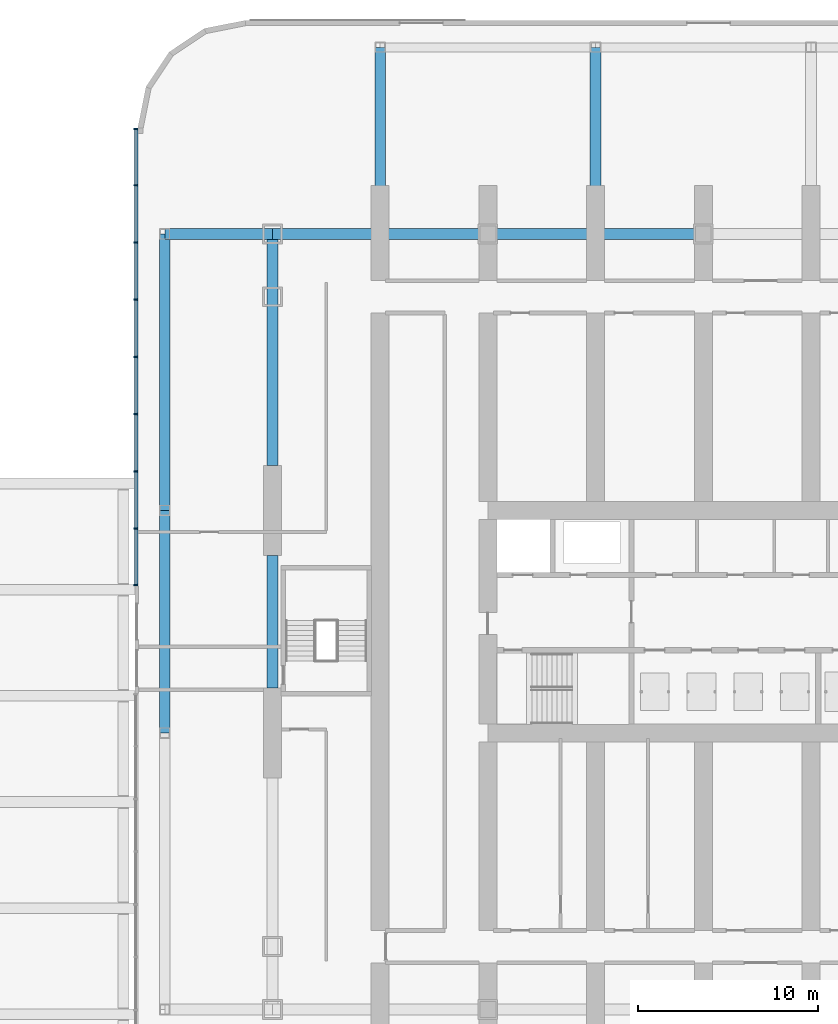
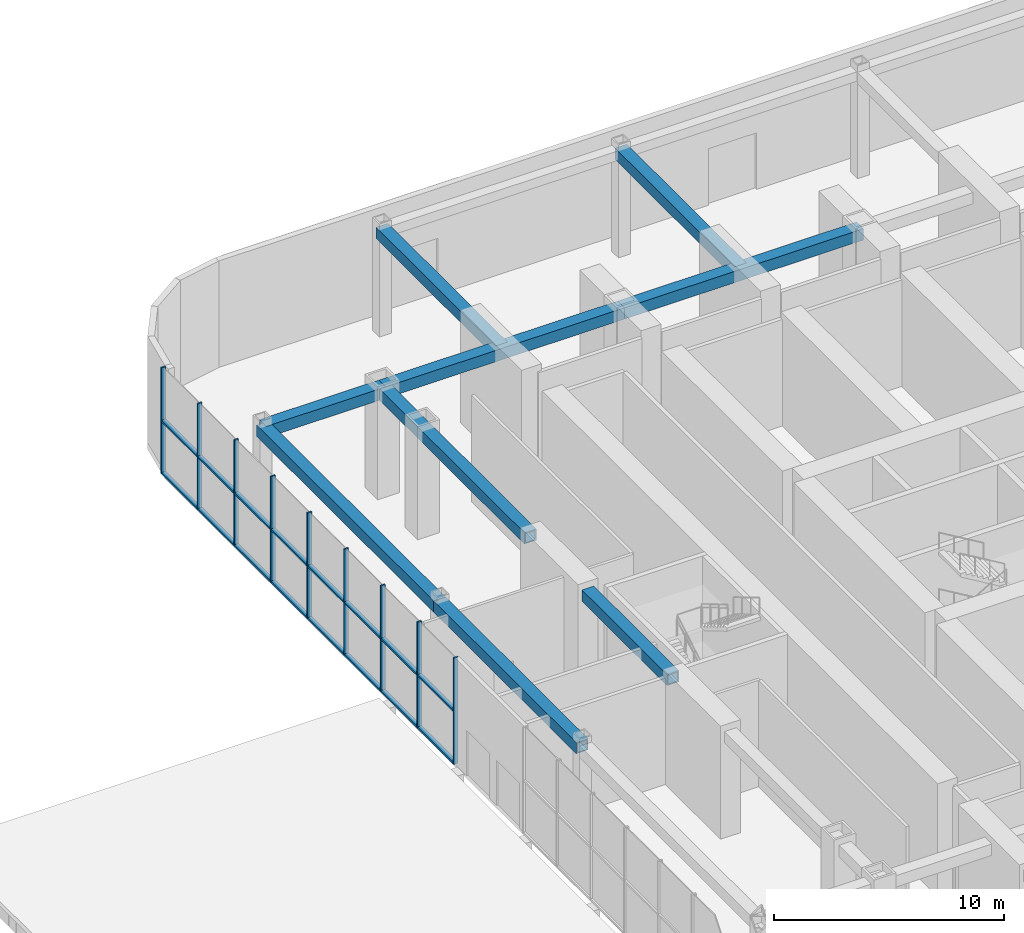
# One storey, part 11 of 57: 25 members, 9 beams, 1 element without a shape of its own.
"""IFC4 building model written with IfcOpenShell, lengths in metres."""

from ifc_helpers import new_model, si_unit, direction, frame, origin, origin_2d, place, context, subcontext, project, spatial, rectangle, hollow_rectangle, extrude, material, material_profile, profile_set, type_object, element, aggregate, save


model = new_model("IFC4")

# Units and contexts
model_context = context("Model", 3, precision=1e-05, world=origin(), true_north=direction((0.0, 1.0)))
body_context = subcontext(model_context, "Body", "Model", "MODEL_VIEW")
ifc_project = project(units=[si_unit("LENGTHUNIT", "METRE"), si_unit("AREAUNIT", "SQUARE_METRE"), si_unit("VOLUMEUNIT", "CUBIC_METRE"), si_unit("PLANEANGLEUNIT", "RADIAN"), si_unit("MASSUNIT", "GRAM", prefix="KILO")], contexts=[model_context])

# Site, building, storey
site_placement = place(None, origin())
site = spatial("IfcSite", under=ifc_project, at=site_placement, CompositionType="ELEMENT")
building_placement = place(site_placement, origin())
building = spatial("IfcBuilding", under=site, at=building_placement, Name="Orbita Commons", CompositionType="ELEMENT")
storey_placement = place(building_placement, origin())
storey = spatial("IfcBuildingStorey", under=building, at=storey_placement, Name="L00", CompositionType="ELEMENT", Elevation=0.0)

# Curtain wall, members
ifc_material_1 = material(Name="Anodised aluminium frame, pale silver", Category="aluminium")
curtain_wall_type = type_object("IfcCurtainWallType", Name="Lobby curtain wall CW-L", PredefinedType="NOTDEFINED", material=ifc_material_1)
curtain_wall_placement = place(storey_placement, origin())
curtain_wall = element("IfcCurtainWall", 1, at=curtain_wall_placement, inside=storey, type_object=curtain_wall_type, Name="Curtain wall W 1 L00", PredefinedType="NOTDEFINED")
ifc_material_2 = material(Name="Anodised aluminium, pale silver", Category="aluminium")
ifc_material_profile_1 = material_profile(ifc_material_2, rectangle(XDim=0.080078125, YDim=0.219970703125, at=origin_2d()), Name="AL 80x220")
ifc_profile_set_1 = profile_set([ifc_material_profile_1], Name="Anodised aluminium, pale silver")
member_type_1 = type_object("IfcMemberType", Name="Curtain wall mullion 80x220", PredefinedType="MULLION", material=ifc_profile_set_1)
member_1_placement = place(storey_placement, frame((-1.610107421875, 59.4599609375, 0.0), z_axis=(0.0, 0.0, 1.0), x_axis=(0.0, -1.0, 0.0)))
member_1 = element("IfcMember", 2, at=member_1_placement, type_object=member_type_1, Name="Mullion 1 CW-L00-W0", PredefinedType="MULLION", context=body_context, shape_type="SweptSolid", body=[
    extrude(rectangle(XDim=0.080078125, YDim=0.219970703125, at=origin_2d()), origin(), (0.0, 0.0, 1.0), 5.64990234375),
])
member_2_placement = place(storey_placement, frame((-1.610107421875, 56.3125, 0.0), z_axis=(0.0, 0.0, 1.0), x_axis=(0.0, -1.0, 0.0)))
member_2 = element("IfcMember", 3, at=member_2_placement, type_object=member_type_1, Name="Mullion 2 CW-L00-W0", PredefinedType="MULLION", context=body_context, shape_type="SweptSolid", body=[
    extrude(rectangle(XDim=0.080078125, YDim=0.219970703125, at=origin_2d()), origin(), (0.0, 0.0, 1.0), 5.64990234375),
])
member_3_placement = place(storey_placement, frame((-1.610107421875, 53.125, 0.0), z_axis=(0.0, 0.0, 1.0), x_axis=(0.0, -1.0, 0.0)))
member_3 = element("IfcMember", 4, at=member_3_placement, type_object=member_type_1, Name="Mullion 3 CW-L00-W0", PredefinedType="MULLION", context=body_context, shape_type="SweptSolid", body=[
    extrude(rectangle(XDim=0.080078125, YDim=0.219970703125, at=origin_2d()), origin(), (0.0, 0.0, 1.0), 5.64990234375),
])
member_4_placement = place(storey_placement, frame((-1.610107421875, 49.9375, 0.0), z_axis=(0.0, 0.0, 1.0), x_axis=(0.0, -1.0, 0.0)))
member_4 = element("IfcMember", 5, at=member_4_placement, type_object=member_type_1, Name="Mullion 4 CW-L00-W0", PredefinedType="MULLION", context=body_context, shape_type="SweptSolid", body=[
    extrude(rectangle(XDim=0.080078125, YDim=0.219970703125, at=origin_2d()), origin(), (0.0, 0.0, 1.0), 5.64990234375),
])
member_5_placement = place(storey_placement, frame((-1.610107421875, 46.75, 0.0), z_axis=(0.0, 0.0, 1.0), x_axis=(0.0, -1.0, 0.0)))
member_5 = element("IfcMember", 6, at=member_5_placement, type_object=member_type_1, Name="Mullion 5 CW-L00-W0", PredefinedType="MULLION", context=body_context, shape_type="SweptSolid", body=[
    extrude(rectangle(XDim=0.080078125, YDim=0.219970703125, at=origin_2d()), origin(), (0.0, 0.0, 1.0), 5.64990234375),
])
member_6_placement = place(storey_placement, frame((-1.610107421875, 43.5625, 0.0), z_axis=(0.0, 0.0, 1.0), x_axis=(0.0, -1.0, 0.0)))
member_6 = element("IfcMember", 7, at=member_6_placement, type_object=member_type_1, Name="Mullion 6 CW-L00-W0", PredefinedType="MULLION", context=body_context, shape_type="SweptSolid", body=[
    extrude(rectangle(XDim=0.080078125, YDim=0.219970703125, at=origin_2d()), origin(), (0.0, 0.0, 1.0), 5.64990234375),
])
member_7_placement = place(storey_placement, frame((-1.610107421875, 40.375, 0.0), z_axis=(0.0, 0.0, 1.0), x_axis=(0.0, -1.0, 0.0)))
member_7 = element("IfcMember", 8, at=member_7_placement, type_object=member_type_1, Name="Mullion 7 CW-L00-W0", PredefinedType="MULLION", context=body_context, shape_type="SweptSolid", body=[
    extrude(rectangle(XDim=0.080078125, YDim=0.219970703125, at=origin_2d()), origin(), (0.0, 0.0, 1.0), 5.64990234375),
])
member_8_placement = place(storey_placement, frame((-1.610107421875, 37.1875, 0.0), z_axis=(0.0, 0.0, 1.0), x_axis=(0.0, -1.0, 0.0)))
member_8 = element("IfcMember", 9, at=member_8_placement, type_object=member_type_1, Name="Mullion 8 CW-L00-W0", PredefinedType="MULLION", context=body_context, shape_type="SweptSolid", body=[
    extrude(rectangle(XDim=0.080078125, YDim=0.219970703125, at=origin_2d()), origin(), (0.0, 0.0, 1.0), 5.64990234375),
])
member_9_placement = place(storey_placement, frame((-1.610107421875, 34.0400390625, 0.0), z_axis=(0.0, 0.0, 1.0), x_axis=(0.0, -1.0, 0.0)))
member_9 = element("IfcMember", 10, at=member_9_placement, type_object=member_type_1, Name="Mullion 9 CW-L00-W0", PredefinedType="MULLION", context=body_context, shape_type="SweptSolid", body=[
    extrude(rectangle(XDim=0.080078125, YDim=0.219970703125, at=origin_2d()), origin(), (0.0, 0.0, 1.0), 5.64990234375),
])
ifc_material_3 = material(Name="Anodised aluminium, pale silver", Category="aluminium")
ifc_material_profile_2 = material_profile(ifc_material_3, rectangle(XDim=0.219970703125, YDim=0.10009765625, at=origin_2d()), Name="AL 220x100")
ifc_profile_set_2 = profile_set([ifc_material_profile_2], Name="Anodised aluminium, pale silver")
member_type_2 = type_object("IfcMemberType", Name="Curtain wall stack transom 220x100", PredefinedType="USERDEFINED", material=ifc_profile_set_2)
member_10_placement = place(storey_placement, frame((-1.610107421875, 59.419921875, 0.050048828125), z_axis=(0.0, -1.0, 0.0), x_axis=(1.0, 0.0, 0.0)))
member_10 = element("IfcMember", 11, at=member_10_placement, type_object=member_type_2, Name="Transom 1.1 CW-L00-W0", ObjectType="TRANSOM", PredefinedType="USERDEFINED", context=body_context, shape_type="SweptSolid", body=[
    extrude(rectangle(XDim=0.219970703125, YDim=0.10009765625, at=origin_2d()), origin(), (0.0, 0.0, 1.0), 3.0673828125),
])
member_11_placement = place(storey_placement, frame((-1.610107421875, 59.419921875, 2.824951171875), z_axis=(0.0, -1.0, 0.0), x_axis=(1.0, 0.0, 0.0)))
member_11 = element("IfcMember", 12, at=member_11_placement, type_object=member_type_2, Name="Transom 1.2 CW-L00-W0", ObjectType="TRANSOM", PredefinedType="USERDEFINED", context=body_context, shape_type="SweptSolid", body=[
    extrude(rectangle(XDim=0.219970703125, YDim=0.10009765625, at=origin_2d()), origin(), (0.0, 0.0, 1.0), 3.0673828125),
])
member_12_placement = place(storey_placement, frame((-1.610107421875, 56.2724609375, 0.050048828125), z_axis=(0.0, -1.0, 0.0), x_axis=(1.0, 0.0, 0.0)))
member_12 = element("IfcMember", 13, at=member_12_placement, type_object=member_type_2, Name="Transom 2.1 CW-L00-W0", ObjectType="TRANSOM", PredefinedType="USERDEFINED", context=body_context, shape_type="SweptSolid", body=[
    extrude(rectangle(XDim=0.219970703125, YDim=0.10009765625, at=origin_2d()), origin(), (0.0, 0.0, 1.0), 3.107421875),
])
member_13_placement = place(storey_placement, frame((-1.610107421875, 56.2724609375, 2.824951171875), z_axis=(0.0, -1.0, 0.0), x_axis=(1.0, 0.0, 0.0)))
member_13 = element("IfcMember", 14, at=member_13_placement, type_object=member_type_2, Name="Transom 2.2 CW-L00-W0", ObjectType="TRANSOM", PredefinedType="USERDEFINED", context=body_context, shape_type="SweptSolid", body=[
    extrude(rectangle(XDim=0.219970703125, YDim=0.10009765625, at=origin_2d()), origin(), (0.0, 0.0, 1.0), 3.107421875),
])
member_14_placement = place(storey_placement, frame((-1.610107421875, 53.0849609375, 0.050048828125), z_axis=(0.0, -1.0, 0.0), x_axis=(1.0, 0.0, 0.0)))
member_14 = element("IfcMember", 15, at=member_14_placement, type_object=member_type_2, Name="Transom 3.1 CW-L00-W0", ObjectType="TRANSOM", PredefinedType="USERDEFINED", context=body_context, shape_type="SweptSolid", body=[
    extrude(rectangle(XDim=0.219970703125, YDim=0.10009765625, at=origin_2d()), origin(), (0.0, 0.0, 1.0), 3.107421875),
])
member_15_placement = place(storey_placement, frame((-1.610107421875, 53.0849609375, 2.824951171875), z_axis=(0.0, -1.0, 0.0), x_axis=(1.0, 0.0, 0.0)))
member_15 = element("IfcMember", 16, at=member_15_placement, type_object=member_type_2, Name="Transom 3.2 CW-L00-W0", ObjectType="TRANSOM", PredefinedType="USERDEFINED", context=body_context, shape_type="SweptSolid", body=[
    extrude(rectangle(XDim=0.219970703125, YDim=0.10009765625, at=origin_2d()), origin(), (0.0, 0.0, 1.0), 3.107421875),
])
member_16_placement = place(storey_placement, frame((-1.610107421875, 49.8974609375, 0.050048828125), z_axis=(0.0, -1.0, 0.0), x_axis=(1.0, 0.0, 0.0)))
member_16 = element("IfcMember", 17, at=member_16_placement, type_object=member_type_2, Name="Transom 4.1 CW-L00-W0", ObjectType="TRANSOM", PredefinedType="USERDEFINED", context=body_context, shape_type="SweptSolid", body=[
    extrude(rectangle(XDim=0.219970703125, YDim=0.10009765625, at=origin_2d()), origin(), (0.0, 0.0, 1.0), 3.107421875),
])
member_17_placement = place(storey_placement, frame((-1.610107421875, 49.8974609375, 2.824951171875), z_axis=(0.0, -1.0, 0.0), x_axis=(1.0, 0.0, 0.0)))
member_17 = element("IfcMember", 18, at=member_17_placement, type_object=member_type_2, Name="Transom 4.2 CW-L00-W0", ObjectType="TRANSOM", PredefinedType="USERDEFINED", context=body_context, shape_type="SweptSolid", body=[
    extrude(rectangle(XDim=0.219970703125, YDim=0.10009765625, at=origin_2d()), origin(), (0.0, 0.0, 1.0), 3.107421875),
])
member_18_placement = place(storey_placement, frame((-1.610107421875, 46.7099609375, 0.050048828125), z_axis=(0.0, -1.0, 0.0), x_axis=(1.0, 0.0, 0.0)))
member_18 = element("IfcMember", 19, at=member_18_placement, type_object=member_type_2, Name="Transom 5.1 CW-L00-W0", ObjectType="TRANSOM", PredefinedType="USERDEFINED", context=body_context, shape_type="SweptSolid", body=[
    extrude(rectangle(XDim=0.219970703125, YDim=0.10009765625, at=origin_2d()), origin(), (0.0, 0.0, 1.0), 3.107421875),
])
member_19_placement = place(storey_placement, frame((-1.610107421875, 46.7099609375, 2.824951171875), z_axis=(0.0, -1.0, 0.0), x_axis=(1.0, 0.0, 0.0)))
member_19 = element("IfcMember", 20, at=member_19_placement, type_object=member_type_2, Name="Transom 5.2 CW-L00-W0", ObjectType="TRANSOM", PredefinedType="USERDEFINED", context=body_context, shape_type="SweptSolid", body=[
    extrude(rectangle(XDim=0.219970703125, YDim=0.10009765625, at=origin_2d()), origin(), (0.0, 0.0, 1.0), 3.107421875),
])
member_20_placement = place(storey_placement, frame((-1.610107421875, 43.5224609375, 0.050048828125), z_axis=(0.0, -1.0, 0.0), x_axis=(1.0, 0.0, 0.0)))
member_20 = element("IfcMember", 21, at=member_20_placement, type_object=member_type_2, Name="Transom 6.1 CW-L00-W0", ObjectType="TRANSOM", PredefinedType="USERDEFINED", context=body_context, shape_type="SweptSolid", body=[
    extrude(rectangle(XDim=0.219970703125, YDim=0.10009765625, at=origin_2d()), origin(), (0.0, 0.0, 1.0), 3.107421875),
])
member_21_placement = place(storey_placement, frame((-1.610107421875, 43.5224609375, 2.824951171875), z_axis=(0.0, -1.0, 0.0), x_axis=(1.0, 0.0, 0.0)))
member_21 = element("IfcMember", 22, at=member_21_placement, type_object=member_type_2, Name="Transom 6.2 CW-L00-W0", ObjectType="TRANSOM", PredefinedType="USERDEFINED", context=body_context, shape_type="SweptSolid", body=[
    extrude(rectangle(XDim=0.219970703125, YDim=0.10009765625, at=origin_2d()), origin(), (0.0, 0.0, 1.0), 3.107421875),
])
member_22_placement = place(storey_placement, frame((-1.610107421875, 40.3349609375, 0.050048828125), z_axis=(0.0, -1.0, 0.0), x_axis=(1.0, 0.0, 0.0)))
member_22 = element("IfcMember", 23, at=member_22_placement, type_object=member_type_2, Name="Transom 7.1 CW-L00-W0", ObjectType="TRANSOM", PredefinedType="USERDEFINED", context=body_context, shape_type="SweptSolid", body=[
    extrude(rectangle(XDim=0.219970703125, YDim=0.10009765625, at=origin_2d()), origin(), (0.0, 0.0, 1.0), 3.107421875),
])
member_23_placement = place(storey_placement, frame((-1.610107421875, 40.3349609375, 2.824951171875), z_axis=(0.0, -1.0, 0.0), x_axis=(1.0, 0.0, 0.0)))
member_23 = element("IfcMember", 24, at=member_23_placement, type_object=member_type_2, Name="Transom 7.2 CW-L00-W0", ObjectType="TRANSOM", PredefinedType="USERDEFINED", context=body_context, shape_type="SweptSolid", body=[
    extrude(rectangle(XDim=0.219970703125, YDim=0.10009765625, at=origin_2d()), origin(), (0.0, 0.0, 1.0), 3.107421875),
])
member_24_placement = place(storey_placement, frame((-1.610107421875, 37.1474609375, 0.050048828125), z_axis=(0.0, -1.0, 0.0), x_axis=(1.0, 0.0, 0.0)))
member_24 = element("IfcMember", 25, at=member_24_placement, type_object=member_type_2, Name="Transom 8.1 CW-L00-W0", ObjectType="TRANSOM", PredefinedType="USERDEFINED", context=body_context, shape_type="SweptSolid", body=[
    extrude(rectangle(XDim=0.219970703125, YDim=0.10009765625, at=origin_2d()), origin(), (0.0, 0.0, 1.0), 3.0673828125),
])
member_25_placement = place(storey_placement, frame((-1.610107421875, 37.1474609375, 2.824951171875), z_axis=(0.0, -1.0, 0.0), x_axis=(1.0, 0.0, 0.0)))
member_25 = element("IfcMember", 26, at=member_25_placement, type_object=member_type_2, Name="Transom 8.2 CW-L00-W0", ObjectType="TRANSOM", PredefinedType="USERDEFINED", context=body_context, shape_type="SweptSolid", body=[
    extrude(rectangle(XDim=0.219970703125, YDim=0.10009765625, at=origin_2d()), origin(), (0.0, 0.0, 1.0), 3.0673828125),
])
aggregate(curtain_wall, [member_1, member_2, member_3, member_4, member_5, member_6, member_7, member_8, member_9, member_10, member_11, member_12, member_13, member_14, member_15, member_16, member_17, member_18, member_19, member_20, member_21, member_22, member_23, member_24, member_25])

# Beams
ifc_material_4 = material(Name="Steel ASTM A572 Gr 50 welded plate", Category="steel")
ifc_material_profile_3 = material_profile(ifc_material_4, hollow_rectangle(XDim=0.60009765625, YDim=0.60009765625, WallThickness=0.06005859375, at=origin_2d()), Name="BOX 600x600x60")
ifc_profile_set_3 = profile_set([ifc_material_profile_3], Name="Steel ASTM A572 Gr 50 welded plate")
beam_type = type_object("IfcBeamType", Name="Steel podium beam BOX 600x600x60", PredefinedType="BEAM", material=ifc_profile_set_3)
beam_1_placement = place(storey_placement, frame((0.0, 53.60009765625, 5.35009765625), z_axis=(1.0, 0.0, 0.0), x_axis=(0.0, 1.0, 0.0)))
element("IfcBeam", 27, at=beam_1_placement, inside=storey, type_object=beam_type, Name="Podium beam E 1-2 L00", PredefinedType="BEAM", context=body_context, shape_type="SweptSolid", body=[
    extrude(hollow_rectangle(XDim=0.60009765625, YDim=0.60009765625, WallThickness=0.06005859375, at=origin_2d()), origin(), (0.0, 0.0, 1.0), 6.0),
])
for number, where, z_axis, x_axis, name in (
    (28, (6.0, 53.60009765625, 5.35009765625), (1.0, 0.0, 0.0), (0.0, 1.0, 0.0), "Podium beam E 2-4 L00"),
    (29, (18.0, 53.60009765625, 5.35009765625), (1.0, 0.0, 0.0), (0.0, 1.0, 0.0), "Podium beam E 4-6 L00"),
):
    element("IfcBeam", number, at=place(storey_placement, frame(where, z_axis=z_axis, x_axis=x_axis)), inside=storey, type_object=beam_type, Name=name, PredefinedType="BEAM", context=body_context, shape_type="SweptSolid", body=[
        extrude(hollow_rectangle(XDim=0.60009765625, YDim=0.60009765625, WallThickness=0.06005859375, at=origin_2d()), origin(), (0.0, 0.0, 1.0), 12.0),
    ])
for number, where, z_axis, x_axis, name in (
    (30, (12.0, 53.60009765625, 5.35009765625), (0.0, 1.0, 0.0), (-1.0, 0.0, 0.0), "Podium beam 3 E-F L00"),
    (31, (24.0, 53.60009765625, 5.35009765625), (0.0, 1.0, 0.0), (-1.0, 0.0, 0.0), "Podium beam 5 E-F L00"),
):
    element("IfcBeam", number, at=place(storey_placement, frame(where, z_axis=z_axis, x_axis=x_axis)), inside=storey, type_object=beam_type, Name=name, PredefinedType="BEAM", context=body_context, shape_type="SweptSolid", body=[
        extrude(hollow_rectangle(XDim=0.60009765625, YDim=0.60009765625, WallThickness=0.06005859375, at=origin_2d()), origin(), (0.0, 0.0, 1.0), 10.39990234375),
    ])
beam_2_placement = place(storey_placement, frame((0.0, 25.800048828125, 5.35009765625), z_axis=(0.0, 1.0, 0.0), x_axis=(-1.0, 0.0, 0.0)))
element("IfcBeam", 32, at=beam_2_placement, inside=storey, type_object=beam_type, Name="Podium beam 1 C-D L00", PredefinedType="BEAM", context=body_context, shape_type="SweptSolid", body=[
    extrude(hollow_rectangle(XDim=0.60009765625, YDim=0.60009765625, WallThickness=0.06005859375, at=origin_2d()), origin(), (0.0, 0.0, 1.0), 12.39990234375),
])
beam_3_placement = place(storey_placement, frame((0.0, 38.199951171875, 5.35009765625), z_axis=(0.0, 1.0, 0.0), x_axis=(-1.0, 0.0, 0.0)))
element("IfcBeam", 33, at=beam_3_placement, inside=storey, type_object=beam_type, Name="Podium beam 1 D-E L00", PredefinedType="BEAM", context=body_context, shape_type="SweptSolid", body=[
    extrude(hollow_rectangle(XDim=0.60009765625, YDim=0.60009765625, WallThickness=0.06005859375, at=origin_2d()), origin(), (0.0, 0.0, 1.0), 15.400146484375),
])
beam_4_placement = place(storey_placement, frame((6.0, 28.300048828125, 5.35009765625), z_axis=(0.0, 1.0, 0.0), x_axis=(-1.0, 0.0, 0.0)))
element("IfcBeam", 34, at=beam_4_placement, inside=storey, type_object=beam_type, Name="Podium beam 2 C-D L00", PredefinedType="BEAM", context=body_context, shape_type="SweptSolid", body=[
    extrude(hollow_rectangle(XDim=0.60009765625, YDim=0.60009765625, WallThickness=0.06005859375, at=origin_2d()), origin(), (0.0, 0.0, 1.0), 7.39990234375),
])
beam_5_placement = place(storey_placement, frame((6.0, 40.699951171875, 5.35009765625), z_axis=(0.0, 1.0, 0.0), x_axis=(-1.0, 0.0, 0.0)))
element("IfcBeam", 35, at=beam_5_placement, inside=storey, type_object=beam_type, Name="Podium beam 2 D-E L00", PredefinedType="BEAM", context=body_context, shape_type="SweptSolid", body=[
    extrude(hollow_rectangle(XDim=0.60009765625, YDim=0.60009765625, WallThickness=0.06005859375, at=origin_2d()), origin(), (0.0, 0.0, 1.0), 12.900146484375),
])

save(model, "model.ifc")
